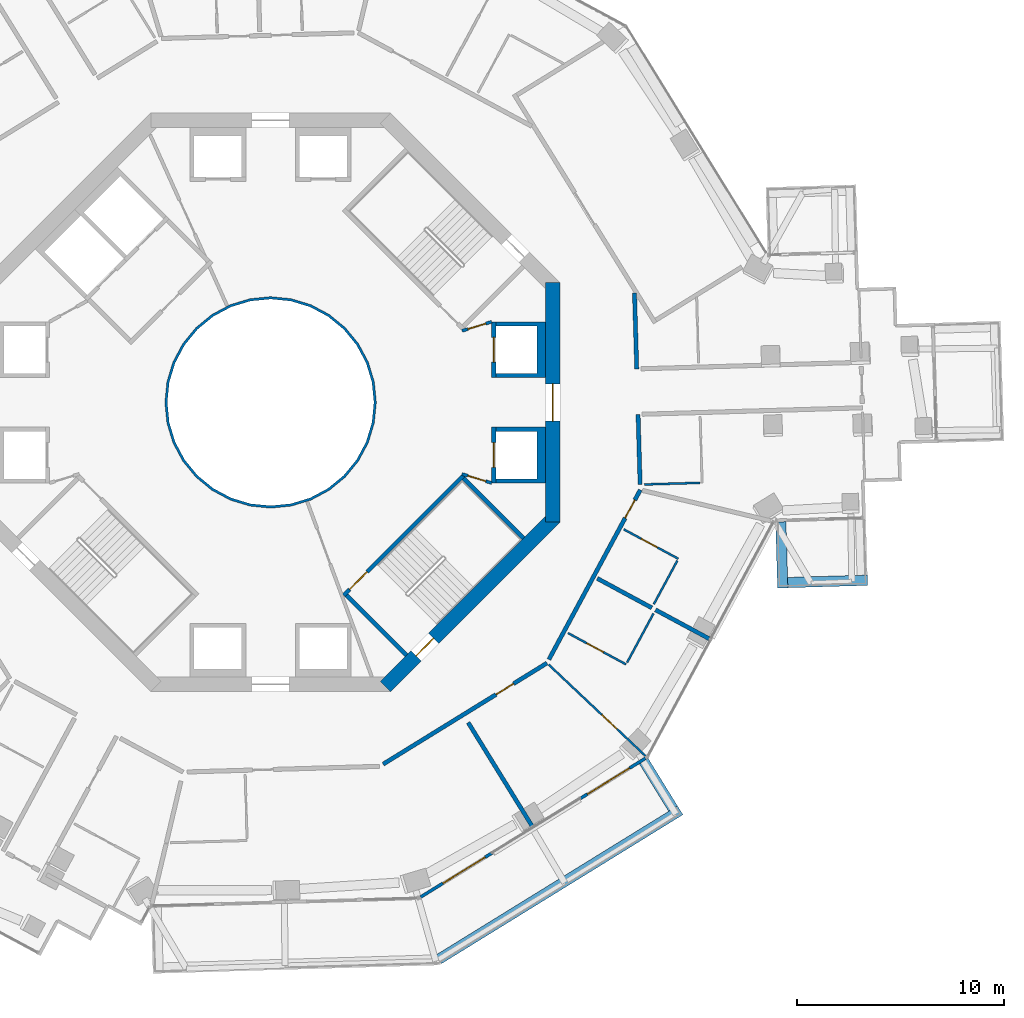
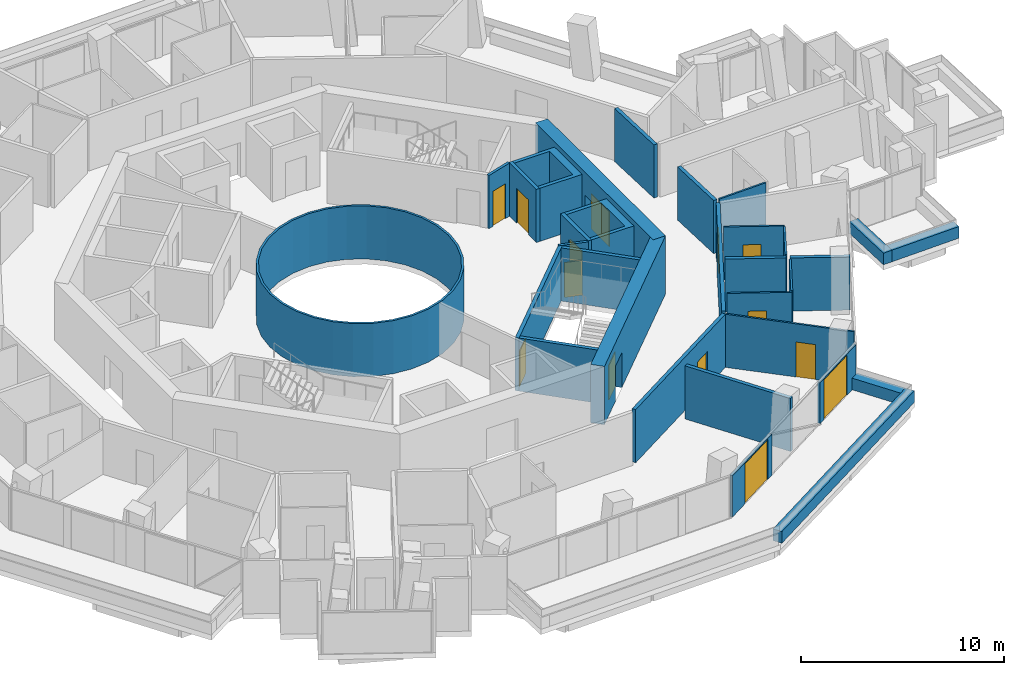
# One storey, part 16 of 22: 31 walls, 14 doors, 14 openings.
"""IFC4 building model written with IfcOpenShell, lengths in metres."""

import ifcopenshell
import ifcopenshell.guid

model = None  # the IFC model being written
_history = None  # IfcOwnerHistory: only IFC2X3 demands one
_inside = {}  # id of a spatial element -> (the spatial element, [elements in it])
_under = {}  # id of a project, library or spatial element -> (it, [spatial elements below it])
_declared = {}  # id of a project -> (the project, [libraries it declares])
_typed = {}  # id of a type object -> (the type object, [elements of that type])
_made_of = {}  # id of a material, layer set ... -> (it, [elements and type objects made of it])


def new_model(schema):
    """Start an empty IFC model of exactly this schema.

    Asked for "IFC4X3", IfcOpenShell would pick the latest addendum, in which some entities
    have other attributes; the version numbers below select the first issue.
    IFC2X3 requires an IfcOwnerHistory on every rooted entity: one is made here for all.
    """
    global model, _history
    if schema == "IFC4X3":
        model = ifcopenshell.file(schema_version=(4, 3, 0, 0))
    else:
        model = ifcopenshell.file(schema=schema)
    _inside.clear()
    _under.clear()
    _declared.clear()
    _typed.clear()
    _made_of.clear()
    _history = None
    if model.schema == "IFC2X3":
        org = make("IfcOrganization", Name="unknown")
        user = make(
            "IfcPersonAndOrganization",
            ThePerson=make("IfcPerson", FamilyName="unknown"),
            TheOrganization=org,
        )
        app = make(
            "IfcApplication",
            ApplicationDeveloper=org,
            Version="unknown",
            ApplicationFullName="unknown",
            ApplicationIdentifier="unknown",
        )
        _history = make(
            "IfcOwnerHistory",
            OwningUser=user,
            OwningApplication=app,
            ChangeAction="ADDED",
            CreationDate=0,
        )
    return model


def make(cls, **values):
    """One entity of the class cls with the attributes given. An attribute that is None is left unset."""
    return model.create_entity(
        cls, **{name: value for name, value in values.items() if value is not None}
    )


def rooted(cls, **values):
    """An entity with a GlobalId (a new one), such as an element, a storey or a relation."""
    return make(cls, GlobalId=ifcopenshell.guid.new(), OwnerHistory=_history, **values)


def si_unit(unit_type, name, prefix=None):
    """IfcSIUnit, for example si_unit("LENGTHUNIT", "METRE", prefix="MILLI")."""
    return make("IfcSIUnit", UnitType=unit_type, Prefix=prefix, Name=name)


def assignment(units):
    """IfcUnitAssignment: the units of a project."""
    return None if units is None else make("IfcUnitAssignment", Units=units)


def point(xyz):
    """IfcCartesianPoint."""
    return None if xyz is None else make("IfcCartesianPoint", Coordinates=xyz)


def direction(xyz):
    """IfcDirection."""
    return None if xyz is None else make("IfcDirection", DirectionRatios=xyz)


def frame(location, z_axis=None, x_axis=None):
    """IfcAxis2Placement3D, a coordinate frame: its origin and axes. An axis left out is left unset."""
    return make(
        "IfcAxis2Placement3D",
        Location=point(location),
        Axis=direction(z_axis),
        RefDirection=direction(x_axis),
    )


def frame_2d(location, x_axis=None):
    """IfcAxis2Placement2D, a coordinate frame in the plane: its origin and x axis."""
    return make(
        "IfcAxis2Placement2D", Location=point(location), RefDirection=direction(x_axis)
    )


def origin():
    """The frame at (0, 0, 0) with its axes left unset."""
    return frame((0.0, 0.0, 0.0))


def place(relative_to, where):
    """IfcLocalPlacement: puts the frame where relative to a parent placement (None: the world)."""
    return make(
        "IfcLocalPlacement", PlacementRelTo=relative_to, RelativePlacement=where
    )


def context(
    kind, dimensions, precision=None, world=None, true_north=None, identifier=None
):
    """IfcGeometricRepresentationContext, for example the 3D "Model" context."""
    return make(
        "IfcGeometricRepresentationContext",
        ContextIdentifier=identifier,
        ContextType=kind,
        CoordinateSpaceDimension=dimensions,
        Precision=precision,
        WorldCoordinateSystem=world,
        TrueNorth=true_north,
    )


def subcontext(parent, identifier, kind, view, scale=None):
    """IfcGeometricRepresentationSubContext, for example "Body" below "Model"."""
    return make(
        "IfcGeometricRepresentationSubContext",
        ContextIdentifier=identifier,
        ContextType=kind,
        ParentContext=parent,
        TargetScale=scale,
        TargetView=view,
    )


def project(units=None, contexts=None):
    """IfcProject with its units and contexts."""
    return rooted(
        "IfcProject",
        Name="project",
        RepresentationContexts=contexts,
        UnitsInContext=assignment(units),
    )


def spatial(cls, under=None, at=None, **own):
    """A site, building, storey or space (cls), placed at a placement, below another one or the project."""
    s = rooted(cls, ObjectPlacement=at, **own)
    if under is not None:
        _under.setdefault(under.id(), (under, []))[1].append(s)
    return s


def polyline(points):
    """IfcPolyline through the points."""
    return make("IfcPolyline", Points=[point(p) for p in points])


def profile(cls, at=None, kind="AREA", **sizes):
    """A parametric profile (cls). Its sizes go by their IFC names, for example OverallWidth=200.0."""
    return make(cls, ProfileType=kind, Position=at, **sizes)


def rectangle(**sizes):
    """IfcRectangleProfileDef."""
    return profile("IfcRectangleProfileDef", **sizes)


def outline(outer, holes=None, kind="AREA"):
    """IfcArbitraryClosedProfileDef: a profile drawn as a closed curve; with holes, ...WithVoids."""
    if holes is None:
        return make("IfcArbitraryClosedProfileDef", ProfileType=kind, OuterCurve=outer)
    return make(
        "IfcArbitraryProfileDefWithVoids",
        ProfileType=kind,
        OuterCurve=outer,
        InnerCurves=holes,
    )


def extrude(swept, where, along, depth):
    """IfcExtrudedAreaSolid: the profile swept, set in the frame where, extruded along a direction by depth."""
    return make(
        "IfcExtrudedAreaSolid",
        SweptArea=swept,
        Position=where,
        ExtrudedDirection=direction(along),
        Depth=depth,
    )


def shape(context_of_items, identifier, shape_type, items):
    """IfcShapeRepresentation: the items that make up one representation, for example the "Body"."""
    return make(
        "IfcShapeRepresentation",
        ContextOfItems=context_of_items,
        RepresentationIdentifier=identifier,
        RepresentationType=shape_type,
        Items=items,
    )


def material(Name=None, Category=None):
    """IfcMaterial."""
    return make("IfcMaterial", Name=Name, Category=Category)


def layer(
    of_material, thickness, ventilated=None, Name=None, Category=None, Priority=None
):
    """IfcMaterialLayer: one layer of a wall or slab, of a material (None: an air gap)."""
    return make(
        "IfcMaterialLayer",
        Material=of_material,
        LayerThickness=thickness,
        IsVentilated=ventilated,
        Name=Name,
        Category=Category,
        Priority=Priority,
    )


def layer_set(layers, Name=None):
    """IfcMaterialLayerSet."""
    return make("IfcMaterialLayerSet", MaterialLayers=layers, LayerSetName=Name)


def made_of(thing, what):
    """Note that an element or type object is made of a material, layer set ...; save() writes the relation."""
    if what is not None:
        _made_of.setdefault(what.id(), (what, []))[1].append(thing)
    return thing


def type_object(cls, material=None, **own):
    """A type object (cls), such as IfcWallType, which elements share."""
    return made_of(rooted(cls, **own), material)


def element(
    cls,
    number,
    at=None,
    inside=None,
    cuts=None,
    type_object=None,
    material=None,
    context=None,
    identifier="Body",
    shape_type=None,
    held_by="IfcProductDefinitionShape",
    body=None,
    shapes=None,
    **own,
):
    """One element of the class cls, such as IfcWall. Its Tag is "e" and its number.

    at: its placement. inside: the storey or other place that contains it. cuts: it is an
    opening in that element (IfcRelVoidsElement). A single representation is given by context,
    identifier, shape_type and body (its items); several are given by shapes. held_by: the class
    of the entity that holds the representations. save() writes the other relations.
    """
    e = rooted(cls, Tag="e%d" % number, ObjectPlacement=at, **own)
    if body is not None:
        shapes = [shape(context, identifier, shape_type, body)]
    if shapes is not None:
        e.Representation = make(held_by, Representations=shapes)
    if inside is not None:
        _inside.setdefault(inside.id(), (inside, []))[1].append(e)
    if cuts is not None:
        rooted(
            "IfcRelVoidsElement", RelatingBuildingElement=cuts, RelatedOpeningElement=e
        )
    if type_object is not None:
        _typed.setdefault(type_object.id(), (type_object, []))[1].append(e)
    return made_of(e, material)


def fill(opening, filler):
    """IfcRelFillsElement: the door or window that sits in an opening."""
    return rooted(
        "IfcRelFillsElement",
        RelatingOpeningElement=opening,
        RelatedBuildingElement=filler,
    )


def aggregate(whole, parts):
    """IfcRelAggregates: a whole, such as a stair, and the parts it consists of."""
    return rooted("IfcRelAggregates", RelatingObject=whole, RelatedObjects=parts)


def save(model, path):
    """Write the relations noted so far, then the file.

    IfcRelAggregates (storeys below a building ...), IfcRelContainedInSpatialStructure (elements
    in a storey), IfcRelDefinesByType, IfcRelAssociatesMaterial and IfcRelDeclares: one each for
    every whole, place, type object, material and project.
    """
    for whole, parts in _under.values():
        aggregate(whole, parts)
    for where, things in _inside.values():
        rooted(
            "IfcRelContainedInSpatialStructure",
            RelatedElements=things,
            RelatingStructure=where,
        )
    for kind, things in _typed.values():
        rooted("IfcRelDefinesByType", RelatedObjects=things, RelatingType=kind)
    for what, things in _made_of.values():
        rooted("IfcRelAssociatesMaterial", RelatedObjects=things, RelatingMaterial=what)
    for by, libraries in _declared.values():
        rooted("IfcRelDeclares", RelatingContext=by, RelatedDefinitions=libraries)
    model.write(path)


model = new_model("IFC4")

# Units and contexts
model_context = context("Model", 3, precision=1e-05, world=origin(), true_north=direction((0.0, 1.0)))
body_context = subcontext(model_context, "Body", "Model", "MODEL_VIEW")
ifc_project = project(units=[si_unit("LENGTHUNIT", "METRE"), si_unit("AREAUNIT", "SQUARE_METRE"), si_unit("VOLUMEUNIT", "CUBIC_METRE"), si_unit("PLANEANGLEUNIT", "RADIAN"), si_unit("MASSUNIT", "GRAM", prefix="KILO")], contexts=[model_context])

# Site, building, storey
site_placement = place(None, origin())
site = spatial("IfcSite", under=ifc_project, at=site_placement, CompositionType="ELEMENT")
building_placement = place(site_placement, origin())
building = spatial("IfcBuilding", under=site, at=building_placement, Name="Verdalira Terraces Hotel", CompositionType="ELEMENT")
storey_placement = place(building_placement, frame((0.0, 0.0, 162.0)))
storey = spatial("IfcBuildingStorey", under=building, at=storey_placement, Name="L39", CompositionType="ELEMENT", Elevation=162.0)

# Walls
ifc_material_1 = material(Name="Fire-resisting glass EI 180", Category="glass")
ifc_layer_1 = layer(ifc_material_1, 0.1201171875)
ifc_layer_set_1 = layer_set([ifc_layer_1], Name="Atrium fire screen 120 mm")
wall_type_1 = type_object("IfcWallType", Name="Atrium fire screen 120 mm", PredefinedType="SOLIDWALL", material=ifc_layer_set_1)
wall_1_placement = place(storey_placement, origin())
element("IfcWall", 1, at=wall_1_placement, inside=storey, type_object=wall_type_1, Name="Atrium fire screen", PredefinedType="SOLIDWALL", context=body_context, shape_type="SweptSolid", body=[
    extrude(outline(polyline([(5.021484, -0.998779), (4.730225, -1.959229), (4.25708, -2.844482), (3.620361, -3.620361), (2.844482, -4.25708), (1.959229, -4.730225), (0.998779, -5.021484), (0.0, -5.120117), (-0.998779, -5.021484), (-1.959229, -4.730225), (-2.844482, -4.25708), (-3.620361, -3.620361), (-4.25708, -2.844482), (-4.730225, -1.959229), (-5.021484, -0.998779), (-5.120117, 0.0), (-5.021484, 0.998779), (-4.730225, 1.959229), (-4.25708, 2.844482), (-3.620361, 3.620361), (-2.844482, 4.25708), (-1.959229, 4.730225), (-0.998779, 5.021484), (0.0, 5.120117), (0.998779, 5.021484), (1.959229, 4.730225), (2.844482, 4.25708), (3.620361, 3.620361), (4.25708, 2.844482), (4.730225, 1.959229), (5.021484, 0.998779), (5.120117, 0.0), (5.021484, -0.998779)]), holes=[polyline([(4.903809, 0.975586), (4.619385, 1.91333), (4.157227, 2.777832), (3.5354, 3.5354), (2.777832, 4.157227), (1.91333, 4.619385), (0.975586, 4.903809), (0.0, 5.0), (-0.975586, 4.903809), (-1.91333, 4.619385), (-2.777832, 4.157227), (-3.5354, 3.5354), (-4.157227, 2.777832), (-4.619385, 1.91333), (-4.903809, 0.975586), (-5.0, 0.0), (-4.903809, -0.975586), (-4.619385, -1.91333), (-4.157227, -2.777832), (-3.5354, -3.5354), (-2.777832, -4.157227), (-1.91333, -4.619385), (-0.975586, -4.903809), (0.0, -5.0), (0.975586, -4.903809), (1.91333, -4.619385), (2.777832, -4.157227), (3.5354, -3.5354), (4.157227, -2.777832), (4.619385, -1.91333), (4.903809, -0.975586), (5.0, 0.0), (4.903809, 0.975586)])]), origin(), (0.0, 0.0, 1.0), 3.189941),
])
ifc_material_2 = material(Name="Concrete C40", Category="concrete")
ifc_layer_2 = layer(ifc_material_2, 0.5)
ifc_layer_set_2 = layer_set([ifc_layer_2], Name="Balcony planter trough with tree")
wall_type_2 = type_object("IfcWallType", Name="Balcony planter trough with tree", PredefinedType="SOLIDWALL", material=ifc_layer_set_2)
wall_2_placement = place(storey_placement, frame((8.14209, -26.947754, 0.0), z_axis=(0.0, 0.0, 1.0), x_axis=(0.85099, 0.525181892, 0.0)))
element("IfcWall", 2, at=wall_2_placement, inside=storey, type_object=wall_type_2, Name="Balcony planter", PredefinedType="SOLIDWALL", context=body_context, shape_type="SweptSolid", body=[
    extrude(rectangle(XDim=13.723389, YDim=0.5, at=frame_2d((6.861816, 0.0))), origin(), (0.0, 0.0, 1.0), 0.699951),
])
wall_3_placement = place(storey_placement, frame((19.476562, -19.658936, 0.0), z_axis=(0.0, 0.0, 1.0), x_axis=(-0.525217448, 0.850968056, 0.0)))
element("IfcWall", 3, at=wall_3_placement, inside=storey, type_object=wall_type_2, Name="Balcony planter", PredefinedType="SOLIDWALL", context=body_context, shape_type="SweptSolid", body=[
    extrude(rectangle(XDim=2.69873, YDim=0.5, at=frame_2d((1.349365, 0.0))), origin(), (0.0, 0.0, 1.0), 0.699951),
])
wall_4_placement = place(storey_placement, frame((24.688477, -5.779785, 0.0), z_axis=(0.0, 0.0, 1.0), x_axis=(0.029307097, -0.999570455, 0.0)))
element("IfcWall", 4, at=wall_4_placement, inside=storey, type_object=wall_type_2, Name="Balcony planter", PredefinedType="SOLIDWALL", context=body_context, shape_type="SweptSolid", body=[
    extrude(rectangle(XDim=3.198975, YDim=0.5, at=frame_2d((1.599609, 0.0))), origin(), (0.0, 0.0, 1.0), 0.699951),
])
wall_5_placement = place(storey_placement, frame((25.024658, -8.719971, 0.0), z_axis=(0.0, 0.0, 1.0), x_axis=(0.999571841, 0.029259769, 0.0)))
element("IfcWall", 5, at=wall_5_placement, inside=storey, type_object=wall_type_2, Name="Balcony planter", PredefinedType="SOLIDWALL", context=body_context, shape_type="SweptSolid", body=[
    extrude(rectangle(XDim=3.863281, YDim=0.5, at=frame_2d((1.931641, 0.0))), origin(), (0.0, 0.0, 1.0), 0.699951),
])

# Wall, opening, door
ifc_material_3 = material(Name="Moisture-resistant gypsum board partition")
ifc_layer_3 = layer(ifc_material_3, 0.10009765625)
ifc_layer_set_3 = layer_set([ifc_layer_3], Name="Bathroom partition 100 mm")
wall_type_3 = type_object("IfcWallType", Name="Bathroom partition 100 mm", PredefinedType="PARTITIONING", material=ifc_layer_set_3)
wall_6_placement = place(storey_placement, frame((14.385742, -11.1604, 0.0), z_axis=(0.0, 0.0, 1.0), x_axis=(0.880304454, -0.474409178, 0.0)))
wall_6 = element("IfcWall", 6, at=wall_6_placement, inside=storey, type_object=wall_type_3, Name="Bathroom partition", PredefinedType="PARTITIONING", context=body_context, shape_type="SweptSolid", body=[
    extrude(rectangle(XDim=3.199951, YDim=0.100098, at=frame_2d((1.600098, 0.0))), origin(), (0.0, 0.0, 1.0), 3.189941),
])
opening_1_placement = place(wall_6_placement, frame((1.050049, 0.0, 0.0)))
opening_1 = element("IfcOpeningElement", 7, at=opening_1_placement, cuts=wall_6, Name="Opening L39-125", PredefinedType="OPENING", context=body_context, shape_type="SweptSolid", body=[
    extrude(rectangle(XDim=0.899902, YDim=2.100098, at=frame_2d((0.449951, 1.050049))), frame((0.0, 0.060059, 0.0), z_axis=(0.0, -1.0, 0.0), x_axis=(1.0, 0.0, 0.0)), (0.0, 0.0, 1.0), 0.120117),
])
ifc_material_4 = material(Name="Timber door", Category="wood")
door_type_1 = type_object("IfcDoorType", Name="Bathroom door 900 x 2100", OperationType="NOTDEFINED", PredefinedType="DOOR", material=ifc_material_4)
door_1_placement = place(opening_1_placement, origin())
door_1 = element("IfcDoor", 8, at=door_1_placement, inside=storey, type_object=door_type_1, Name="Bathroom door 3907", OperationType="SINGLE_SWING_RIGHT", OverallHeight=2.10009765625, OverallWidth=0.89990234375, PredefinedType="DOOR", context=body_context, shape_type="SweptSolid", body=[
    extrude(rectangle(XDim=0.899902, YDim=2.100098, at=frame_2d((0.449951, 1.050049))), frame((0.0, 0.024902, 0.0), z_axis=(0.0, -1.0, 0.0), x_axis=(1.0, 0.0, 0.0)), (0.0, 0.0, 1.0), 0.050049),
])
fill(opening_1, door_1)

wall_7_placement = place(storey_placement, frame((13.450928, -12.684326, 0.0), z_axis=(0.0, 0.0, 1.0), x_axis=(0.727520045, -0.686086427, 0.0)))
wall_7 = element("IfcWall", 9, at=wall_7_placement, inside=storey, type_object=wall_type_3, Name="Bathroom partition", PredefinedType="PARTITIONING", context=body_context, shape_type="SweptSolid", body=[
    extrude(rectangle(XDim=6.475586, YDim=0.100098, at=frame_2d((3.237793, 0.0))), origin(), (0.0, 0.0, 1.0), 3.189941),
])
opening_2_placement = place(wall_7_placement, frame((3.550049, 0.0, 0.0)))
opening_2 = element("IfcOpeningElement", 10, at=opening_2_placement, cuts=wall_7, Name="Opening L39-124", PredefinedType="OPENING", context=body_context, shape_type="SweptSolid", body=[
    extrude(rectangle(XDim=1.0, YDim=2.100098, at=frame_2d((0.5, 1.050049))), frame((0.0, 0.060059, 0.0), z_axis=(0.0, -1.0, 0.0), x_axis=(1.0, 0.0, 0.0)), (0.0, 0.0, 1.0), 0.120117),
])
ifc_material_5 = material(Name="Timber door", Category="wood")
door_type_2 = type_object("IfcDoorType", Name="Suite internal door 1000 x 2100", OperationType="NOTDEFINED", PredefinedType="DOOR", material=ifc_material_5)
door_2_placement = place(opening_2_placement, origin())
door_2 = element("IfcDoor", 11, at=door_2_placement, inside=storey, type_object=door_type_2, Name="Suite internal door 3907", OperationType="SINGLE_SWING_LEFT", OverallHeight=2.10009765625, OverallWidth=1.0, PredefinedType="DOOR", context=body_context, shape_type="SweptSolid", body=[
    extrude(rectangle(XDim=1.0, YDim=2.100098, at=frame_2d((0.5, 1.050049))), frame((0.0, 0.024902, 0.0), z_axis=(0.0, -1.0, 0.0), x_axis=(1.0, 0.0, 0.0)), (0.0, 0.0, 1.0), 0.050049),
])
fill(opening_2, door_2)

# Wall
wall_8_placement = place(storey_placement, frame((17.250244, -12.590332, 0.0), z_axis=(0.0, 0.0, 1.0), x_axis=(0.474347839, 0.880337508, 0.0)))
element("IfcWall", 12, at=wall_8_placement, inside=storey, type_object=wall_type_3, Name="Bathroom partition", PredefinedType="PARTITIONING", context=body_context, shape_type="SweptSolid", body=[
    extrude(rectangle(XDim=2.699951, YDim=0.100098, at=frame_2d((1.350098, 0.0))), origin(), (0.0, 0.0, 1.0), 3.189941),
])

# Wall, opening, door
wall_9_placement = place(storey_placement, frame((19.730713, -7.565674, 0.0), z_axis=(0.0, 0.0, 1.0), x_axis=(-0.880319488, 0.474381279, 0.0)))
wall_9 = element("IfcWall", 13, at=wall_9_placement, inside=storey, type_object=wall_type_3, Name="Bathroom partition", PredefinedType="PARTITIONING", context=body_context, shape_type="SweptSolid", body=[
    extrude(rectangle(XDim=3.0, YDim=0.100098, at=frame_2d((1.5, 0.0))), origin(), (0.0, 0.0, 1.0), 3.189941),
])
opening_3_placement = place(wall_9_placement, frame((1.149902, 0.0, 0.0)))
opening_3 = element("IfcOpeningElement", 14, at=opening_3_placement, cuts=wall_9, Name="Opening L39-127", PredefinedType="OPENING", context=body_context, shape_type="SweptSolid", body=[
    extrude(rectangle(XDim=0.899902, YDim=2.100098, at=frame_2d((0.449951, 1.050049))), frame((0.0, 0.060059, 0.0), z_axis=(0.0, -1.0, 0.0), x_axis=(1.0, 0.0, 0.0)), (0.0, 0.0, 1.0), 0.120117),
])
door_3_placement = place(opening_3_placement, origin())
door_3 = element("IfcDoor", 15, at=door_3_placement, inside=storey, type_object=door_type_1, Name="Bathroom door 3908", OperationType="SINGLE_SWING_LEFT", OverallHeight=2.10009765625, OverallWidth=0.89990234375, PredefinedType="DOOR", context=body_context, shape_type="SweptSolid", body=[
    extrude(rectangle(XDim=0.899902, YDim=2.100098, at=frame_2d((0.449951, 1.050049))), frame((0.0, 0.024902, 0.0), z_axis=(0.0, -1.0, 0.0), x_axis=(1.0, 0.0, 0.0)), (0.0, 0.0, 1.0), 0.050049),
])
fill(opening_3, door_3)

# Walls
wall_10_placement = place(storey_placement, frame((19.68335, -7.653809, 0.0), z_axis=(0.0, 0.0, 1.0), x_axis=(-0.474427351, -0.88029466, 0.0)))
element("IfcWall", 16, at=wall_10_placement, inside=storey, type_object=wall_type_3, Name="Bathroom partition", PredefinedType="PARTITIONING", context=body_context, shape_type="SweptSolid", body=[
    extrude(rectangle(XDim=2.400146, YDim=0.100098, at=frame_2d((1.200195, 0.0))), origin(), (0.0, 0.0, 1.0), 3.189941),
])
wall_11_placement = place(storey_placement, frame((18.08252, -3.97168, 0.0), z_axis=(0.0, 0.0, 1.0), x_axis=(0.999568145, 0.029385766, 0.0)))
element("IfcWall", 17, at=wall_11_placement, inside=storey, type_object=wall_type_3, Name="Bathroom partition", PredefinedType="PARTITIONING", context=body_context, shape_type="SweptSolid", body=[
    extrude(rectangle(XDim=2.700195, YDim=0.100098, at=frame_2d((1.350098, 0.0))), origin(), (0.0, 0.0, 1.0), 3.189941),
])
ifc_material_6 = material(Name="Concrete C50", Category="concrete")
ifc_layer_4 = layer(ifc_material_6, 0.199951171875)
ifc_layer_set_4 = layer_set([ifc_layer_4], Name="Core RC wall 200 C50")
wall_type_4 = type_object("IfcWallType", Name="Core RC wall 200 C50", PredefinedType="SOLIDWALL", material=ifc_layer_set_4)
wall_12_placement = place(storey_placement, origin())
element("IfcWall", 18, at=wall_12_placement, inside=storey, type_object=wall_type_4, Name="L39 shaft wall E1", PredefinedType="SOLIDWALL", context=body_context, shape_type="SweptSolid", body=[
    extrude(outline(polyline([(13.300049, -3.899902), (10.899902, -3.899902), (10.899902, -3.699951), (12.899902, -3.699951), (12.899902, -1.399902), (10.899902, -1.399902), (10.899902, -1.199951), (13.300049, -1.199951), (13.300049, -3.899902)])), origin(), (0.0, 0.0, 1.0), 3.189941),
])

# Wall, opening, door
wall_13_placement = place(storey_placement, frame((10.800049, -1.199951, 0.0), z_axis=(0.0, 0.0, 1.0), x_axis=(0.0, -1.0, 0.0)))
wall_13 = element("IfcWall", 19, at=wall_13_placement, inside=storey, type_object=wall_type_4, Name="L39 shaft front wall E1", PredefinedType="SOLIDWALL", context=body_context, shape_type="SweptSolid", body=[
    extrude(rectangle(XDim=2.699951, YDim=0.199951, at=frame_2d((1.350098, 0.0))), origin(), (0.0, 0.0, 1.0), 3.189941),
])
opening_4_placement = place(wall_13_placement, frame((0.75, 0.0, 0.0)))
opening_4 = element("IfcOpeningElement", 20, at=opening_4_placement, cuts=wall_13, Name="Opening LD-L39-801", PredefinedType="OPENING", context=body_context, shape_type="SweptSolid", body=[
    extrude(rectangle(XDim=1.199951, YDim=2.100098, at=frame_2d((0.600098, 1.050049))), frame((0.0, 0.109863, 0.0), z_axis=(0.0, -1.0, 0.0), x_axis=(1.0, 0.0, 0.0)), (0.0, 0.0, 1.0), 0.219971),
])
ifc_material_7 = material(Name="Stainless steel", Category="steel")
door_type_3 = type_object("IfcDoorType", Name="Landing door 1200 x 2100", OperationType="NOTDEFINED", PredefinedType="DOOR", material=ifc_material_7)
door_4_placement = place(opening_4_placement, origin())
door_4 = element("IfcDoor", 21, at=door_4_placement, inside=storey, type_object=door_type_3, Name="Lift landing door LR1 L39", OperationType="DOUBLE_DOOR_SLIDING", OverallHeight=2.10009765625, OverallWidth=1.199951171875, PredefinedType="DOOR", context=body_context, shape_type="SweptSolid", body=[
    extrude(rectangle(XDim=1.199951, YDim=2.100098, at=frame_2d((0.600098, 1.050049))), frame((0.0, 0.024902, 0.0), z_axis=(0.0, -1.0, 0.0), x_axis=(1.0, 0.0, 0.0)), (0.0, 0.0, 1.0), 0.050049),
])
fill(opening_4, door_4)

# Wall
wall_14_placement = place(storey_placement, origin())
element("IfcWall", 22, at=wall_14_placement, inside=storey, type_object=wall_type_4, Name="L39 shaft wall E2", PredefinedType="SOLIDWALL", context=body_context, shape_type="SweptSolid", body=[
    extrude(outline(polyline([(13.300049, 3.899902), (13.300049, 1.199951), (10.899902, 1.199951), (10.899902, 1.399902), (12.899902, 1.399902), (12.899902, 3.699951), (10.899902, 3.699951), (10.899902, 3.899902), (13.300049, 3.899902)])), origin(), (0.0, 0.0, 1.0), 3.189941),
])

# Wall, opening, door
wall_15_placement = place(storey_placement, frame((10.800049, 1.199951, 0.0), z_axis=(0.0, 0.0, 1.0), x_axis=(0.0, 1.0, 0.0)))
wall_15 = element("IfcWall", 23, at=wall_15_placement, inside=storey, type_object=wall_type_4, Name="L39 shaft front wall E2", PredefinedType="SOLIDWALL", context=body_context, shape_type="SweptSolid", body=[
    extrude(rectangle(XDim=2.699951, YDim=0.199951, at=frame_2d((1.350098, 0.0))), origin(), (0.0, 0.0, 1.0), 3.189941),
])
opening_5_placement = place(wall_15_placement, frame((0.75, 0.0, 0.0)))
opening_5 = element("IfcOpeningElement", 24, at=opening_5_placement, cuts=wall_15, Name="Opening LD-L39-802", PredefinedType="OPENING", context=body_context, shape_type="SweptSolid", body=[
    extrude(rectangle(XDim=1.199951, YDim=2.100098, at=frame_2d((0.600098, 1.050049))), frame((0.0, 0.109863, 0.0), z_axis=(0.0, -1.0, 0.0), x_axis=(1.0, 0.0, 0.0)), (0.0, 0.0, 1.0), 0.219971),
])
door_5_placement = place(opening_5_placement, origin())
door_5 = element("IfcDoor", 25, at=door_5_placement, inside=storey, type_object=door_type_3, Name="Lift landing door LR2 L39", OperationType="DOUBLE_DOOR_SLIDING", OverallHeight=2.10009765625, OverallWidth=1.199951171875, PredefinedType="DOOR", context=body_context, shape_type="SweptSolid", body=[
    extrude(rectangle(XDim=1.199951, YDim=2.100098, at=frame_2d((0.600098, 1.050049))), frame((0.0, 0.024902, 0.0), z_axis=(0.0, -1.0, 0.0), x_axis=(1.0, 0.0, 0.0)), (0.0, 0.0, 1.0), 0.050049),
])
fill(opening_5, door_5)

wall_16_placement = place(storey_placement, frame((9.33374, -3.5354, 0.0), z_axis=(0.0, 0.0, 1.0), x_axis=(-0.707106781, -0.707106781, 0.0)))
wall_16 = element("IfcWall", 26, at=wall_16_placement, inside=storey, type_object=wall_type_4, Name="L39 stair ST3 front wall", PredefinedType="SOLIDWALL", context=body_context, shape_type="SweptSolid", body=[
    extrude(rectangle(XDim=8.200195, YDim=0.199951, at=frame_2d((4.100098, 0.0))), origin(), (0.0, 0.0, 1.0), 3.189941),
])
opening_6_placement = place(wall_16_placement, frame((6.600098, 0.0, 0.0)))
opening_6 = element("IfcOpeningElement", 27, at=opening_6_placement, cuts=wall_16, Name="Opening L39-811", PredefinedType="OPENING", context=body_context, shape_type="SweptSolid", body=[
    extrude(rectangle(XDim=1.199951, YDim=2.100098, at=frame_2d((0.600098, 1.050049))), frame((0.0, 0.109863, 0.0), z_axis=(0.0, -1.0, 0.0), x_axis=(1.0, 0.0, 0.0)), (0.0, 0.0, 1.0), 0.219971),
])
ifc_material_8 = material(Name="Steel fire door", Category="steel")
door_type_4 = type_object("IfcDoorType", Name="Stair door 1200 x 2100", OperationType="NOTDEFINED", PredefinedType="DOOR", material=ifc_material_8)
door_6_placement = place(opening_6_placement, origin())
door_6 = element("IfcDoor", 28, at=door_6_placement, inside=storey, type_object=door_type_4, Name="Stair door ST3 L39", OperationType="SINGLE_SWING_RIGHT", OverallHeight=2.10009765625, OverallWidth=1.199951171875, PredefinedType="DOOR", context=body_context, shape_type="SweptSolid", body=[
    extrude(rectangle(XDim=1.199951, YDim=2.100098, at=frame_2d((0.600098, 1.050049))), frame((0.0, 0.024902, 0.0), z_axis=(0.0, -1.0, 0.0), x_axis=(1.0, 0.0, 0.0)), (0.0, 0.0, 1.0), 0.050049),
])
fill(opening_6, door_6)

# Walls
for number, where, z_axis, x_axis, name in (
    (29, (3.677002, -9.33374, 0.0), (0.0, 0.0, 1.0), (0.707106781, -0.707106781, 0.0), "L39 stair ST3 end wall 1"),
    (30, (9.33374, -3.677002, 0.0), (0.0, 0.0, 1.0), (0.707106781, -0.707106781, 0.0), "L39 stair ST3 end wall 2"),
):
    element("IfcWall", number, at=place(storey_placement, frame(where, z_axis=z_axis, x_axis=x_axis)), inside=storey, type_object=wall_type_4, Name=name, PredefinedType="SOLIDWALL", context=body_context, shape_type="SweptSolid", body=[
        extrude(rectangle(XDim=4.100098, YDim=0.199951, at=frame_2d((2.050049, 0.0))), origin(), (0.0, 0.0, 1.0), 3.189941),
    ])

# Wall, opening, door
ifc_material_9 = material(Name="Gypsum board partition")
ifc_layer_5 = layer(ifc_material_9, 0.14990234375)
ifc_layer_set_5 = layer_set([ifc_layer_5], Name="Core partition 150 mm")
wall_type_5 = type_object("IfcWallType", Name="Core partition 150 mm", PredefinedType="PARTITIONING", material=ifc_layer_set_5)
wall_17_placement = place(storey_placement, frame((10.699951, 3.899902, 0.0), z_axis=(0.0, 0.0, 1.0), x_axis=(-0.957084567, -0.289808785, 0.0)))
wall_17 = element("IfcWall", 31, at=wall_17_placement, inside=storey, type_object=wall_type_5, Name="Room partition L39", PredefinedType="PARTITIONING", context=body_context, shape_type="SweptSolid", body=[
    extrude(rectangle(XDim=1.501221, YDim=0.149902, at=frame_2d((0.750488, 0.0))), origin(), (0.0, 0.0, 1.0), 3.189941),
])
opening_7_placement = place(wall_17_placement, frame((0.300781, 0.0, 0.0)))
opening_7 = element("IfcOpeningElement", 32, at=opening_7_placement, cuts=wall_17, Name="Opening L39-820", PredefinedType="OPENING", context=body_context, shape_type="SweptSolid", body=[
    extrude(rectangle(XDim=0.899902, YDim=2.100098, at=frame_2d((0.449951, 1.050049))), frame((0.0, 0.084961, 0.0), z_axis=(0.0, -1.0, 0.0), x_axis=(1.0, 0.0, 0.0)), (0.0, 0.0, 1.0), 0.169922),
])
ifc_material_10 = material(Name="Steel fire door", Category="steel")
door_type_5 = type_object("IfcDoorType", Name="Core room door 900 x 2100", OperationType="NOTDEFINED", PredefinedType="DOOR", material=ifc_material_10)
door_7_placement = place(opening_7_placement, origin())
door_7 = element("IfcDoor", 33, at=door_7_placement, inside=storey, type_object=door_type_5, Name="Door L39 room0", OperationType="SINGLE_SWING_LEFT", OverallHeight=2.10009765625, OverallWidth=0.89990234375, PredefinedType="DOOR", context=body_context, shape_type="SweptSolid", body=[
    extrude(rectangle(XDim=0.899902, YDim=2.100098, at=frame_2d((0.449951, 1.050049))), frame((0.0, 0.024902, 0.0), z_axis=(0.0, -1.0, 0.0), x_axis=(1.0, 0.0, 0.0)), (0.0, 0.0, 1.0), 0.050049),
])
fill(opening_7, door_7)

wall_18_placement = place(storey_placement, frame((9.263184, -3.464844, 0.0), z_axis=(0.0, 0.0, 1.0), x_axis=(0.957084567, -0.289808785, 0.0)))
wall_18 = element("IfcWall", 34, at=wall_18_placement, inside=storey, type_object=wall_type_5, Name="Room partition L39", PredefinedType="PARTITIONING", context=body_context, shape_type="SweptSolid", body=[
    extrude(rectangle(XDim=1.501221, YDim=0.149902, at=frame_2d((0.750488, 0.0))), origin(), (0.0, 0.0, 1.0), 3.189941),
])
opening_8_placement = place(wall_18_placement, frame((0.300781, 0.0, 0.0)))
opening_8 = element("IfcOpeningElement", 35, at=opening_8_placement, cuts=wall_18, Name="Opening L39-823", PredefinedType="OPENING", context=body_context, shape_type="SweptSolid", body=[
    extrude(rectangle(XDim=0.899902, YDim=2.100098, at=frame_2d((0.449951, 1.050049))), frame((0.0, 0.084961, 0.0), z_axis=(0.0, -1.0, 0.0), x_axis=(1.0, 0.0, 0.0)), (0.0, 0.0, 1.0), 0.169922),
])
door_8_placement = place(opening_8_placement, origin())
door_8 = element("IfcDoor", 36, at=door_8_placement, inside=storey, type_object=door_type_5, Name="Door L39 room7", OperationType="SINGLE_SWING_LEFT", OverallHeight=2.10009765625, OverallWidth=0.89990234375, PredefinedType="DOOR", context=body_context, shape_type="SweptSolid", body=[
    extrude(rectangle(XDim=0.899902, YDim=2.100098, at=frame_2d((0.449951, 1.050049))), frame((0.0, 0.024902, 0.0), z_axis=(0.0, -1.0, 0.0), x_axis=(1.0, 0.0, 0.0)), (0.0, 0.0, 1.0), 0.050049),
])
fill(opening_8, door_8)

ifc_material_11 = material(Name="Concrete C60", Category="concrete")
ifc_layer_6 = layer(ifc_material_11, 0.699951171875)
ifc_layer_set_6 = layer_set([ifc_layer_6], Name="Core wall 700 C60")
wall_type_6 = type_object("IfcWallType", Name="Core wall 700 C60", PredefinedType="SHEAR", material=ifc_layer_set_6)
wall_19_placement = place(storey_placement, frame((13.649902, -5.799072, 0.0), z_axis=(0.0, 0.0, 1.0), x_axis=(0.0, 1.0, 0.0)))
wall_19 = element("IfcWall", 37, at=wall_19_placement, inside=storey, type_object=wall_type_6, Name="Core wall CW-L39-1", PredefinedType="SHEAR", context=body_context, shape_type="SweptSolid", body=[
    extrude(rectangle(XDim=11.598145, YDim=0.699951, at=frame_2d((5.799072, 0.0))), origin(), (0.0, 0.0, 1.0), 3.5),
])
opening_9_placement = place(wall_19_placement, frame((4.898926, 0.0, 0.0)))
opening_9 = element("IfcOpeningElement", 38, at=opening_9_placement, cuts=wall_19, Name="Opening L39-812", PredefinedType="OPENING", context=body_context, shape_type="SweptSolid", body=[
    extrude(rectangle(XDim=1.800049, YDim=2.100098, at=frame_2d((0.899902, 1.050049))), frame((0.0, 0.359863, 0.0), z_axis=(0.0, -1.0, 0.0), x_axis=(1.0, 0.0, 0.0)), (0.0, 0.0, 1.0), 0.719971),
])
ifc_material_12 = material(Name="Steel fire door", Category="steel")
door_type_6 = type_object("IfcDoorType", Name="Core entry door pair 1800 x 2100", OperationType="NOTDEFINED", PredefinedType="DOOR", material=ifc_material_12)
door_9_placement = place(opening_9_placement, origin())
door_9 = element("IfcDoor", 39, at=door_9_placement, inside=storey, type_object=door_type_6, Name="Core entry door L39 0", OperationType="DOUBLE_DOOR_SINGLE_SWING", OverallHeight=2.10009765625, OverallWidth=1.800048828125, PredefinedType="DOOR", context=body_context, shape_type="SweptSolid", body=[
    extrude(rectangle(XDim=1.800049, YDim=2.100098, at=frame_2d((0.899902, 1.050049))), frame((0.0, 0.024902, 0.0), z_axis=(0.0, -1.0, 0.0), x_axis=(1.0, 0.0, 0.0)), (0.0, 0.0, 1.0), 0.050049),
])
fill(opening_9, door_9)

wall_20_placement = place(storey_placement, frame((5.551514, -13.752441, 0.0), z_axis=(0.0, 0.0, 1.0), x_axis=(0.707106781, 0.707106781, 0.0)))
wall_20 = element("IfcWall", 40, at=wall_20_placement, inside=storey, type_object=wall_type_6, Name="Core wall CW-L39-8", PredefinedType="SHEAR", context=body_context, shape_type="SweptSolid", body=[
    extrude(rectangle(XDim=11.5979, YDim=0.699951, at=frame_2d((5.798828, 0.0))), origin(), (0.0, 0.0, 1.0), 3.5),
])
opening_10_placement = place(wall_20_placement, frame((2.099121, 0.0, 0.0)))
opening_10 = element("IfcOpeningElement", 41, at=opening_10_placement, cuts=wall_20, Name="Opening L39-818", PredefinedType="OPENING", context=body_context, shape_type="SweptSolid", body=[
    extrude(rectangle(XDim=1.199951, YDim=2.100098, at=frame_2d((0.600098, 1.050049))), frame((0.0, 0.359863, 0.0), z_axis=(0.0, -1.0, 0.0), x_axis=(1.0, 0.0, 0.0)), (0.0, 0.0, 1.0), 0.719971),
])
door_10_placement = place(opening_10_placement, origin())
door_10 = element("IfcDoor", 42, at=door_10_placement, inside=storey, type_object=door_type_4, Name="Stair exit door ST3 L39", OperationType="SINGLE_SWING_LEFT", OverallHeight=2.10009765625, OverallWidth=1.199951171875, PredefinedType="DOOR", context=body_context, shape_type="SweptSolid", body=[
    extrude(rectangle(XDim=1.199951, YDim=2.100098, at=frame_2d((0.600098, 1.050049))), frame((0.0, 0.024902, 0.0), z_axis=(0.0, -1.0, 0.0), x_axis=(1.0, 0.0, 0.0)), (0.0, 0.0, 1.0), 0.050049),
])
fill(opening_10, door_10)

# Walls
ifc_material_13 = material(Name="Fire-rated gypsum board wall")
ifc_layer_7 = layer(ifc_material_13, 0.199951171875)
ifc_layer_set_7 = layer_set([ifc_layer_7], Name="Demising wall 200 mm")
wall_type_7 = type_object("IfcWallType", Name="Demising wall 200 mm", PredefinedType="SOLIDWALL", material=ifc_layer_set_7)
wall_21_placement = place(storey_placement, frame((9.561035, -15.49292, 0.0), z_axis=(0.0, 0.0, 1.0), x_axis=(0.525190818, -0.850984492, 0.0)))
element("IfcWall", 43, at=wall_21_placement, inside=storey, type_object=wall_type_7, Name="Demising wall", PredefinedType="SOLIDWALL", context=body_context, shape_type="SweptSolid", body=[
    extrude(rectangle(XDim=5.902832, YDim=0.199951, at=frame_2d((2.951416, 0.0))), origin(), (0.0, 0.0, 1.0), 3.189941),
])
wall_22_placement = place(storey_placement, frame((15.808838, -8.519287, 0.0), z_axis=(0.0, 0.0, 1.0), x_axis=(0.880296089, -0.4744247, 0.0)))
element("IfcWall", 44, at=wall_22_placement, inside=storey, type_object=wall_type_7, Name="Demising wall", PredefinedType="SOLIDWALL", context=body_context, shape_type="SweptSolid", body=[
    extrude(rectangle(XDim=3.002197, YDim=0.199951, at=frame_2d((1.500977, 0.0))), origin(), (0.0, 0.0, 1.0), 3.189941),
])
wall_23_placement = place(storey_placement, frame((18.625977, -10.037354, 0.0), z_axis=(0.0, 0.0, 1.0), x_axis=(0.880285019, -0.47444524, 0.0)))
element("IfcWall", 45, at=wall_23_placement, inside=storey, type_object=wall_type_7, Name="Demising wall", PredefinedType="SOLIDWALL", context=body_context, shape_type="SweptSolid", body=[
    extrude(rectangle(XDim=2.950195, YDim=0.199951, at=frame_2d((1.475098, 0.0))), origin(), (0.0, 0.0, 1.0), 3.189941),
])

# Wall, opening, door
ifc_material_14 = material(Name="Fire-rated gypsum board wall")
ifc_layer_8 = layer(ifc_material_14, 0.199951171875)
ifc_layer_set_8 = layer_set([ifc_layer_8], Name="Guest corridor wall 200 mm")
wall_type_8 = type_object("IfcWallType", Name="Guest corridor wall 200 mm", PredefinedType="SOLIDWALL", material=ifc_layer_set_8)
wall_24_placement = place(storey_placement, frame((13.375488, -12.613281, 0.0), z_axis=(0.0, 0.0, 1.0), x_axis=(-0.850995395, -0.52517315, 0.0)))
wall_24 = element("IfcWall", 46, at=wall_24_placement, inside=storey, type_object=wall_type_8, Name="Guest corridor wall", PredefinedType="SOLIDWALL", context=body_context, shape_type="SweptSolid", body=[
    extrude(rectangle(XDim=9.316162, YDim=0.199951, at=frame_2d((4.658203, 0.0))), origin(), (0.0, 0.0, 1.0), 3.189941),
])
opening_11_placement = place(wall_24_placement, frame((1.899902, 0.0, 0.0)))
opening_11 = element("IfcOpeningElement", 47, at=opening_11_placement, cuts=wall_24, Name="Opening L39-123", PredefinedType="OPENING", context=body_context, shape_type="SweptSolid", body=[
    extrude(rectangle(XDim=1.0, YDim=2.100098, at=frame_2d((0.5, 1.050049))), frame((0.0, 0.109863, 0.0), z_axis=(0.0, -1.0, 0.0), x_axis=(1.0, 0.0, 0.0)), (0.0, 0.0, 1.0), 0.219971),
])
ifc_material_15 = material(Name="Timber fire door", Category="wood")
door_type_7 = type_object("IfcDoorType", Name="Guest entry door 1000 x 2100", OperationType="NOTDEFINED", PredefinedType="DOOR", material=ifc_material_15)
door_11_placement = place(opening_11_placement, origin())
door_11 = element("IfcDoor", 48, at=door_11_placement, inside=storey, type_object=door_type_7, Name="Guest entry door 3907", OperationType="SINGLE_SWING_LEFT", OverallHeight=2.10009765625, OverallWidth=1.0, PredefinedType="DOOR", context=body_context, shape_type="SweptSolid", body=[
    extrude(rectangle(XDim=1.0, YDim=2.100098, at=frame_2d((0.5, 1.050049))), frame((0.0, 0.024902, 0.0), z_axis=(0.0, -1.0, 0.0), x_axis=(1.0, 0.0, 0.0)), (0.0, 0.0, 1.0), 0.050049),
])
fill(opening_11, door_11)

wall_25_placement = place(storey_placement, frame((17.890137, -4.235596, 0.0), z_axis=(0.0, 0.0, 1.0), x_axis=(-0.47438264, -0.880318755, 0.0)))
wall_25 = element("IfcWall", 49, at=wall_25_placement, inside=storey, type_object=wall_type_8, Name="Guest corridor wall", PredefinedType="SOLIDWALL", context=body_context, shape_type="SweptSolid", body=[
    extrude(rectangle(XDim=9.31665, YDim=0.199951, at=frame_2d((4.658203, 0.0))), origin(), (0.0, 0.0, 1.0), 3.189941),
])
opening_12_placement = place(wall_25_placement, frame((0.550049, 0.0, 0.0)))
opening_12 = element("IfcOpeningElement", 50, at=opening_12_placement, cuts=wall_25, Name="Opening L39-126", PredefinedType="OPENING", context=body_context, shape_type="SweptSolid", body=[
    extrude(rectangle(XDim=1.0, YDim=2.100098, at=frame_2d((0.5, 1.050049))), frame((0.0, 0.109863, 0.0), z_axis=(0.0, -1.0, 0.0), x_axis=(1.0, 0.0, 0.0)), (0.0, 0.0, 1.0), 0.219971),
])
door_12_placement = place(opening_12_placement, origin())
door_12 = element("IfcDoor", 51, at=door_12_placement, inside=storey, type_object=door_type_7, Name="Guest entry door 3908", OperationType="SINGLE_SWING_LEFT", OverallHeight=2.10009765625, OverallWidth=1.0, PredefinedType="DOOR", context=body_context, shape_type="SweptSolid", body=[
    extrude(rectangle(XDim=1.0, YDim=2.100098, at=frame_2d((0.5, 1.050049))), frame((0.0, 0.024902, 0.0), z_axis=(0.0, -1.0, 0.0), x_axis=(1.0, 0.0, 0.0)), (0.0, 0.0, 1.0), 0.050049),
])
fill(opening_12, door_12)

# Walls
wall_26_placement = place(storey_placement, frame((17.718506, 1.620117, 0.0), z_axis=(0.0, 0.0, 1.0), x_axis=(-0.029336637, 0.999569588, 0.0)))
element("IfcWall", 52, at=wall_26_placement, inside=storey, type_object=wall_type_8, Name="Guest corridor wall", PredefinedType="SOLIDWALL", context=body_context, shape_type="SweptSolid", body=[
    extrude(rectangle(XDim=3.678223, YDim=0.199951, at=frame_2d((1.839111, 0.0))), origin(), (0.0, 0.0, 1.0), 3.189941),
])
wall_27_placement = place(storey_placement, frame((17.882568, -3.977295, 0.0), z_axis=(0.0, 0.0, 1.0), x_axis=(-0.029297763, 0.999570728, 0.0)))
element("IfcWall", 53, at=wall_27_placement, inside=storey, type_object=wall_type_8, Name="Guest corridor wall", PredefinedType="SOLIDWALL", context=body_context, shape_type="SweptSolid", body=[
    extrude(rectangle(XDim=3.399902, YDim=0.199951, at=frame_2d((1.699951, 0.0))), origin(), (0.0, 0.0, 1.0), 3.189941),
])

# Wall, opening, door
ifc_material_16 = material(Name="Terracotta cladding", Category="masonry")
ifc_layer_9 = layer(ifc_material_16, 0.14990234375)
ifc_layer_set_9 = layer_set([ifc_layer_9], Name="Terracotta door pier 150")
wall_type_9 = type_object("IfcWallType", Name="Terracotta door pier 150", PredefinedType="SOLIDWALL", material=ifc_layer_set_9)
wall_28_placement = place(storey_placement, frame((7.25415, -23.940918, 0.0), z_axis=(0.0, 0.0, 1.0), x_axis=(0.851018893, 0.525135072, 0.0)))
wall_28 = element("IfcWall", 54, at=wall_28_placement, inside=storey, type_object=wall_type_9, Name="Terracotta door pier", PredefinedType="SOLIDWALL", context=body_context, shape_type="SweptSolid", body=[
    extrude(rectangle(XDim=4.067871, YDim=0.149902, at=frame_2d((2.033936, 0.0))), origin(), (0.0, 0.0, 1.0), 2.475098),
])
opening_13_placement = place(wall_28_placement, frame((1.267822, 0.0, 0.0)))
opening_13 = element("IfcOpeningElement", 55, at=opening_13_placement, cuts=wall_28, Name="Opening L39-B08", PredefinedType="OPENING", context=body_context, shape_type="SweptSolid", body=[
    extrude(rectangle(XDim=2.399902, YDim=2.399902, at=frame_2d((1.199951, 1.199951))), frame((0.0, 0.084961, 0.0), z_axis=(0.0, -1.0, 0.0), x_axis=(1.0, 0.0, 0.0)), (0.0, 0.0, 1.0), 0.169922),
])
ifc_material_17 = material(Name="Clear glass", Category="glass")
door_type_8 = type_object("IfcDoorType", Name="Balcony sliding door 2400x2400", OperationType="NOTDEFINED", PredefinedType="DOOR", material=ifc_material_17)
door_13_placement = place(opening_13_placement, origin())
door_13 = element("IfcDoor", 56, at=door_13_placement, inside=storey, type_object=door_type_8, Name="Balcony sliding door", OperationType="SLIDING_TO_LEFT", OverallHeight=2.39990234375, OverallWidth=2.39990234375, PredefinedType="DOOR", context=body_context, shape_type="SweptSolid", body=[
    extrude(rectangle(XDim=2.399902, YDim=2.399902, at=frame_2d((1.199951, 1.199951))), frame((0.0, 0.024902, 0.0), z_axis=(0.0, -1.0, 0.0), x_axis=(1.0, 0.0, 0.0)), (0.0, 0.0, 1.0), 0.050049),
])
fill(opening_13, door_13)

wall_29_placement = place(storey_placement, frame((14.989258, -19.167236, 0.0), z_axis=(0.0, 0.0, 1.0), x_axis=(0.851004729, 0.525158025, 0.0)))
wall_29 = element("IfcWall", 57, at=wall_29_placement, inside=storey, type_object=wall_type_9, Name="Terracotta door pier", PredefinedType="SOLIDWALL", context=body_context, shape_type="SweptSolid", body=[
    extrude(rectangle(XDim=3.710205, YDim=0.149902, at=frame_2d((1.85498, 0.0))), origin(), (0.0, 0.0, 1.0), 2.475098),
])
opening_14_placement = place(wall_29_placement, frame((0.399902, 0.0, 0.0)))
opening_14 = element("IfcOpeningElement", 58, at=opening_14_placement, cuts=wall_29, Name="Opening L39-B09", PredefinedType="OPENING", context=body_context, shape_type="SweptSolid", body=[
    extrude(rectangle(XDim=2.399902, YDim=2.399902, at=frame_2d((1.199951, 1.199951))), frame((0.0, 0.084961, 0.0), z_axis=(0.0, -1.0, 0.0), x_axis=(1.0, 0.0, 0.0)), (0.0, 0.0, 1.0), 0.169922),
])
door_14_placement = place(opening_14_placement, origin())
door_14 = element("IfcDoor", 59, at=door_14_placement, inside=storey, type_object=door_type_8, Name="Balcony sliding door", OperationType="SLIDING_TO_RIGHT", OverallHeight=2.39990234375, OverallWidth=2.39990234375, PredefinedType="DOOR", context=body_context, shape_type="SweptSolid", body=[
    extrude(rectangle(XDim=2.399902, YDim=2.399902, at=frame_2d((1.199951, 1.199951))), frame((0.0, 0.024902, 0.0), z_axis=(0.0, -1.0, 0.0), x_axis=(1.0, 0.0, 0.0)), (0.0, 0.0, 1.0), 0.050049),
])
fill(opening_14, door_14)

save(model, "model.ifc")
